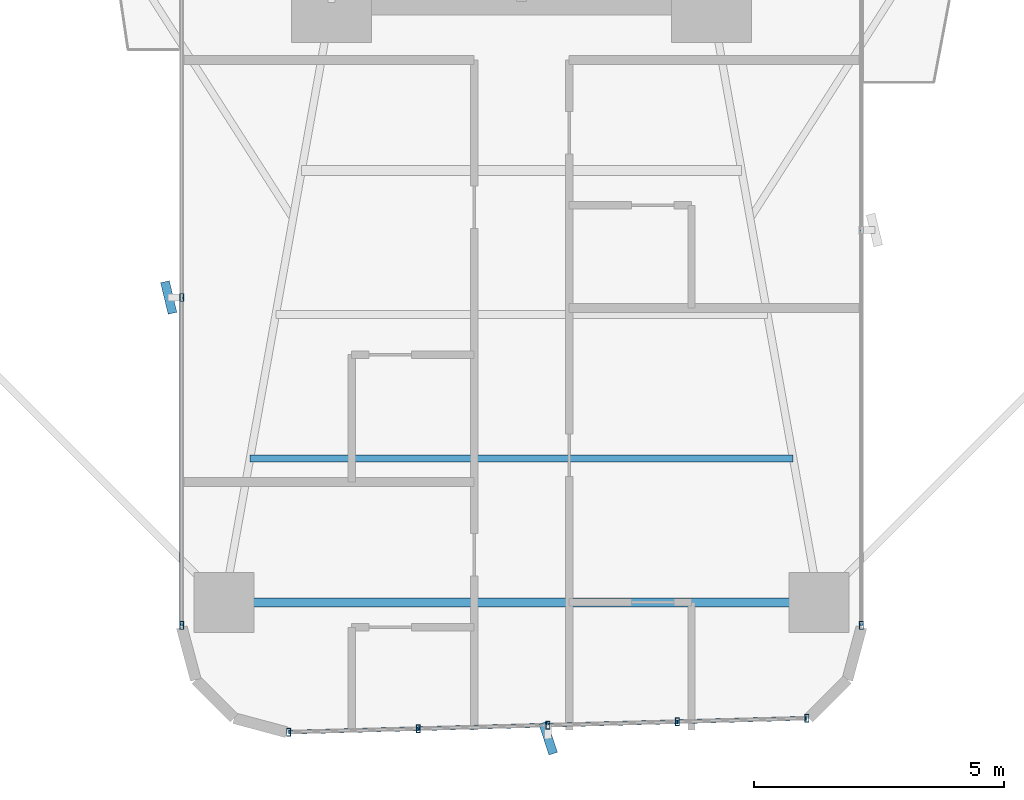
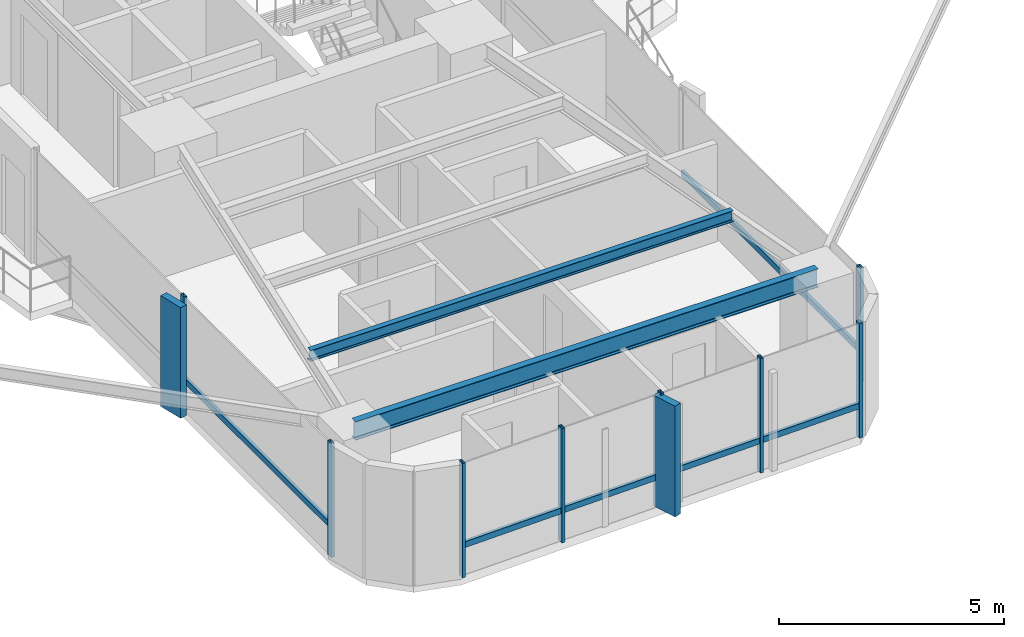
# One storey, part 2 of 25: 16 members, 2 beams, 3 elements without a shape of their own.
"""IFC4 building model written with IfcOpenShell, lengths in metres."""

import ifcopenshell
import ifcopenshell.guid

model = None  # the IFC model being written
_history = None  # IfcOwnerHistory: only IFC2X3 demands one
_inside = {}  # id of a spatial element -> (the spatial element, [elements in it])
_under = {}  # id of a project, library or spatial element -> (it, [spatial elements below it])
_declared = {}  # id of a project -> (the project, [libraries it declares])
_typed = {}  # id of a type object -> (the type object, [elements of that type])
_made_of = {}  # id of a material, layer set ... -> (it, [elements and type objects made of it])


def new_model(schema):
    """Start an empty IFC model of exactly this schema.

    Asked for "IFC4X3", IfcOpenShell would pick the latest addendum, in which some entities
    have other attributes; the version numbers below select the first issue.
    IFC2X3 requires an IfcOwnerHistory on every rooted entity: one is made here for all.
    """
    global model, _history
    if schema == "IFC4X3":
        model = ifcopenshell.file(schema_version=(4, 3, 0, 0))
    else:
        model = ifcopenshell.file(schema=schema)
    _inside.clear()
    _under.clear()
    _declared.clear()
    _typed.clear()
    _made_of.clear()
    _history = None
    if model.schema == "IFC2X3":
        org = make("IfcOrganization", Name="unknown")
        user = make(
            "IfcPersonAndOrganization",
            ThePerson=make("IfcPerson", FamilyName="unknown"),
            TheOrganization=org,
        )
        app = make(
            "IfcApplication",
            ApplicationDeveloper=org,
            Version="unknown",
            ApplicationFullName="unknown",
            ApplicationIdentifier="unknown",
        )
        _history = make(
            "IfcOwnerHistory",
            OwningUser=user,
            OwningApplication=app,
            ChangeAction="ADDED",
            CreationDate=0,
        )
    return model


def make(cls, **values):
    """One entity of the class cls with the attributes given. An attribute that is None is left unset."""
    return model.create_entity(
        cls, **{name: value for name, value in values.items() if value is not None}
    )


def rooted(cls, **values):
    """An entity with a GlobalId (a new one), such as an element, a storey or a relation."""
    return make(cls, GlobalId=ifcopenshell.guid.new(), OwnerHistory=_history, **values)


def si_unit(unit_type, name, prefix=None):
    """IfcSIUnit, for example si_unit("LENGTHUNIT", "METRE", prefix="MILLI")."""
    return make("IfcSIUnit", UnitType=unit_type, Prefix=prefix, Name=name)


def assignment(units):
    """IfcUnitAssignment: the units of a project."""
    return None if units is None else make("IfcUnitAssignment", Units=units)


def point(xyz):
    """IfcCartesianPoint."""
    return None if xyz is None else make("IfcCartesianPoint", Coordinates=xyz)


def direction(xyz):
    """IfcDirection."""
    return None if xyz is None else make("IfcDirection", DirectionRatios=xyz)


def frame(location, z_axis=None, x_axis=None):
    """IfcAxis2Placement3D, a coordinate frame: its origin and axes. An axis left out is left unset."""
    return make(
        "IfcAxis2Placement3D",
        Location=point(location),
        Axis=direction(z_axis),
        RefDirection=direction(x_axis),
    )


def frame_2d(location, x_axis=None):
    """IfcAxis2Placement2D, a coordinate frame in the plane: its origin and x axis."""
    return make(
        "IfcAxis2Placement2D", Location=point(location), RefDirection=direction(x_axis)
    )


def origin():
    """The frame at (0, 0, 0) with its axes left unset."""
    return frame((0.0, 0.0, 0.0))


def origin_2d():
    """The frame at (0, 0) in the plane with its x axis left unset."""
    return frame_2d((0.0, 0.0))


def place(relative_to, where):
    """IfcLocalPlacement: puts the frame where relative to a parent placement (None: the world)."""
    return make(
        "IfcLocalPlacement", PlacementRelTo=relative_to, RelativePlacement=where
    )


def context(
    kind, dimensions, precision=None, world=None, true_north=None, identifier=None
):
    """IfcGeometricRepresentationContext, for example the 3D "Model" context."""
    return make(
        "IfcGeometricRepresentationContext",
        ContextIdentifier=identifier,
        ContextType=kind,
        CoordinateSpaceDimension=dimensions,
        Precision=precision,
        WorldCoordinateSystem=world,
        TrueNorth=true_north,
    )


def subcontext(parent, identifier, kind, view, scale=None):
    """IfcGeometricRepresentationSubContext, for example "Body" below "Model"."""
    return make(
        "IfcGeometricRepresentationSubContext",
        ContextIdentifier=identifier,
        ContextType=kind,
        ParentContext=parent,
        TargetScale=scale,
        TargetView=view,
    )


def project(units=None, contexts=None):
    """IfcProject with its units and contexts."""
    return rooted(
        "IfcProject",
        Name="project",
        RepresentationContexts=contexts,
        UnitsInContext=assignment(units),
    )


def spatial(cls, under=None, at=None, **own):
    """A site, building, storey or space (cls), placed at a placement, below another one or the project."""
    s = rooted(cls, ObjectPlacement=at, **own)
    if under is not None:
        _under.setdefault(under.id(), (under, []))[1].append(s)
    return s


def profile(cls, at=None, kind="AREA", **sizes):
    """A parametric profile (cls). Its sizes go by their IFC names, for example OverallWidth=200.0."""
    return make(cls, ProfileType=kind, Position=at, **sizes)


def rectangle(**sizes):
    """IfcRectangleProfileDef."""
    return profile("IfcRectangleProfileDef", **sizes)


def hollow_rectangle(**sizes):
    """IfcRectangleHollowProfileDef."""
    return profile("IfcRectangleHollowProfileDef", **sizes)


def i_section(**sizes):
    """IfcIShapeProfileDef."""
    return profile("IfcIShapeProfileDef", **sizes)


def extrude(swept, where, along, depth):
    """IfcExtrudedAreaSolid: the profile swept, set in the frame where, extruded along a direction by depth."""
    return make(
        "IfcExtrudedAreaSolid",
        SweptArea=swept,
        Position=where,
        ExtrudedDirection=direction(along),
        Depth=depth,
    )


def shape(context_of_items, identifier, shape_type, items):
    """IfcShapeRepresentation: the items that make up one representation, for example the "Body"."""
    return make(
        "IfcShapeRepresentation",
        ContextOfItems=context_of_items,
        RepresentationIdentifier=identifier,
        RepresentationType=shape_type,
        Items=items,
    )


def source(mapping_origin, context_of_items, identifier, shape_type, items):
    """IfcRepresentationMap: a shape defined once, which mapped items show again and again."""
    return make(
        "IfcRepresentationMap",
        MappingOrigin=mapping_origin,
        MappedRepresentation=shape(context_of_items, identifier, shape_type, items),
    )


def transform(
    local_origin,
    x_axis=None,
    y_axis=None,
    z_axis=None,
    scale=None,
    scale2=None,
    scale3=None,
    uniform=True,
):
    """IfcCartesianTransformationOperator3D, or its non-uniform kind. x_axis, y_axis, z_axis: its Axis1, 2, 3."""
    if uniform:
        return make(
            "IfcCartesianTransformationOperator3D",
            Axis1=direction(x_axis),
            Axis2=direction(y_axis),
            LocalOrigin=point(local_origin),
            Scale=scale,
            Axis3=direction(z_axis),
        )
    return make(
        "IfcCartesianTransformationOperator3DnonUniform",
        Axis1=direction(x_axis),
        Axis2=direction(y_axis),
        LocalOrigin=point(local_origin),
        Scale=scale,
        Axis3=direction(z_axis),
        Scale2=scale2,
        Scale3=scale3,
    )


def mapped(mapping_source, mapping_target):
    """IfcMappedItem: shows the shape of a source again, moved by a transform."""
    return make(
        "IfcMappedItem", MappingSource=mapping_source, MappingTarget=mapping_target
    )


def material(Name=None, Category=None):
    """IfcMaterial."""
    return make("IfcMaterial", Name=Name, Category=Category)


def material_profile(
    of_material, cross_section, Name=None, Category=None, Priority=None
):
    """IfcMaterialProfile: a cross section and its material."""
    return make(
        "IfcMaterialProfile",
        Name=Name,
        Material=of_material,
        Profile=cross_section,
        Priority=Priority,
        Category=Category,
    )


def profile_set(profiles, Name=None, composite=None):
    """IfcMaterialProfileSet."""
    return make(
        "IfcMaterialProfileSet",
        Name=Name,
        MaterialProfiles=profiles,
        CompositeProfile=composite,
    )


def made_of(thing, what):
    """Note that an element or type object is made of a material, layer set ...; save() writes the relation."""
    if what is not None:
        _made_of.setdefault(what.id(), (what, []))[1].append(thing)
    return thing


def type_object(cls, material=None, **own):
    """A type object (cls), such as IfcWallType, which elements share."""
    return made_of(rooted(cls, **own), material)


def element(
    cls,
    number,
    at=None,
    inside=None,
    cuts=None,
    type_object=None,
    material=None,
    context=None,
    identifier="Body",
    shape_type=None,
    held_by="IfcProductDefinitionShape",
    body=None,
    shapes=None,
    **own,
):
    """One element of the class cls, such as IfcWall. Its Tag is "e" and its number.

    at: its placement. inside: the storey or other place that contains it. cuts: it is an
    opening in that element (IfcRelVoidsElement). A single representation is given by context,
    identifier, shape_type and body (its items); several are given by shapes. held_by: the class
    of the entity that holds the representations. save() writes the other relations.
    """
    e = rooted(cls, Tag="e%d" % number, ObjectPlacement=at, **own)
    if body is not None:
        shapes = [shape(context, identifier, shape_type, body)]
    if shapes is not None:
        e.Representation = make(held_by, Representations=shapes)
    if inside is not None:
        _inside.setdefault(inside.id(), (inside, []))[1].append(e)
    if cuts is not None:
        rooted(
            "IfcRelVoidsElement", RelatingBuildingElement=cuts, RelatedOpeningElement=e
        )
    if type_object is not None:
        _typed.setdefault(type_object.id(), (type_object, []))[1].append(e)
    return made_of(e, material)


def aggregate(whole, parts):
    """IfcRelAggregates: a whole, such as a stair, and the parts it consists of."""
    return rooted("IfcRelAggregates", RelatingObject=whole, RelatedObjects=parts)


def save(model, path):
    """Write the relations noted so far, then the file.

    IfcRelAggregates (storeys below a building ...), IfcRelContainedInSpatialStructure (elements
    in a storey), IfcRelDefinesByType, IfcRelAssociatesMaterial and IfcRelDeclares: one each for
    every whole, place, type object, material and project.
    """
    for whole, parts in _under.values():
        aggregate(whole, parts)
    for where, things in _inside.values():
        rooted(
            "IfcRelContainedInSpatialStructure",
            RelatedElements=things,
            RelatingStructure=where,
        )
    for kind, things in _typed.values():
        rooted("IfcRelDefinesByType", RelatedObjects=things, RelatingType=kind)
    for what, things in _made_of.values():
        rooted("IfcRelAssociatesMaterial", RelatedObjects=things, RelatingMaterial=what)
    for by, libraries in _declared.values():
        rooted("IfcRelDeclares", RelatingContext=by, RelatedDefinitions=libraries)
    model.write(path)


model = new_model("IFC4")

# Units and contexts
model_context = context("Model", 3, precision=1e-05, world=origin(), true_north=direction((0.0, 1.0)))
body_context = subcontext(model_context, "Body", "Model", "MODEL_VIEW")
ifc_project = project(units=[si_unit("LENGTHUNIT", "METRE"), si_unit("AREAUNIT", "SQUARE_METRE"), si_unit("VOLUMEUNIT", "CUBIC_METRE"), si_unit("PLANEANGLEUNIT", "RADIAN"), si_unit("MASSUNIT", "GRAM", prefix="KILO")], contexts=[model_context])

# Site, building, storey
site_placement = place(None, origin())
site = spatial("IfcSite", under=ifc_project, at=site_placement, CompositionType="ELEMENT")
building_placement = place(site_placement, origin())
building = spatial("IfcBuilding", under=site, at=building_placement, Name="Sahyath Konkavel Grand Hotel", CompositionType="ELEMENT")
storey_placement = place(building_placement, frame((0.0, 0.0, 36.5)))
storey = spatial("IfcBuildingStorey", under=building, at=storey_placement, Name="L09", CompositionType="ELEMENT", Elevation=36.5)

# Beams
ifc_material_1 = material(Name="Steel E350", Category="steel")
ifc_material_profile_1 = material_profile(ifc_material_1, i_section(OverallWidth=0.179931640625, OverallDepth=0.5, WebThickness=0.01025390625, FlangeThickness=0.01708984375, FilletRadius=0.01708984375, at=origin_2d()), Name="ISMB 500")
ifc_profile_set_1 = profile_set([ifc_material_profile_1], Name="Steel E350")
beam_type_1 = type_object("IfcBeamType", Name="BM-ISMB500", PredefinedType="BEAM", material=ifc_profile_set_1)
shared_shape_1 = source(origin(), body_context, "Body", "SweptSolid", [
    extrude(i_section(OverallWidth=0.179931640625, OverallDepth=0.5, WebThickness=0.01025390625, FlangeThickness=0.01708984375, FilletRadius=0.01708984375, at=origin_2d()), origin(), (0.0, 0.0, 1.0), 11.89990234375),
])
beam_1_placement = place(storey_placement, frame((-5.949951171875, -22.199951171875, 2.860107421875), z_axis=(1.0, 0.0, 0.0), x_axis=(0.0, 1.0, 0.0)))
element("IfcBeam", 1, at=beam_1_placement, inside=storey, type_object=beam_type_1, Name="L09 Wing Tip Edge Beam S", PredefinedType="BEAM", context=body_context, shape_type="MappedRepresentation", body=[
    mapped(shared_shape_1, transform((0.0, 0.0, 0.0), scale=1.0)),
])
ifc_material_profile_2 = material_profile(ifc_material_1, i_section(OverallWidth=0.139892578125, OverallDepth=0.300048828125, WebThickness=0.0078125, FlangeThickness=0.01318359375, FilletRadius=0.013916015625, at=origin_2d()), Name="ISMB 300")
ifc_profile_set_2 = profile_set([ifc_material_profile_2], Name="Steel E350")
beam_type_2 = type_object("IfcBeamType", Name="BM-ISMB300", PredefinedType="BEAM", material=ifc_profile_set_2)
shared_shape_2 = source(origin(), body_context, "Body", "SweptSolid", [
    extrude(i_section(OverallWidth=0.139892578125, OverallDepth=0.300048828125, WebThickness=0.0078125, FlangeThickness=0.01318359375, FilletRadius=0.013916015625, at=origin_2d()), origin(), (0.0, 0.0, 1.0), 10.8681640625),
])
beam_2_placement = place(storey_placement, frame((-5.43408203125, -19.320068359375, 2.9599609375), z_axis=(1.0, 0.0, 0.0), x_axis=(0.0, 1.0, 0.0)))
element("IfcBeam", 2, at=beam_2_placement, inside=storey, type_object=beam_type_2, Name="L09 Secondary Floor Beam S-3", PredefinedType="BEAM", context=body_context, shape_type="MappedRepresentation", body=[
    mapped(shared_shape_2, transform((0.0, 0.0, 0.0), scale=1.0)),
])

# Curtain wall, member
ifc_material_2 = material(Name="Anodised Bronze Aluminium & Low-E Glazing", Category="aluminium")
curtain_wall_type = type_object("IfcCurtainWallType", Name="CW-ZONE1", PredefinedType="NOTDEFINED", material=ifc_material_2)
curtain_wall_1_placement = place(storey_placement, origin())
curtain_wall_1 = element("IfcCurtainWall", 3, at=curtain_wall_1_placement, inside=storey, type_object=curtain_wall_type, Name="L09 Unitised Curtain Wall F24", PredefinedType="NOTDEFINED")
ifc_material_3 = material(Name="Warm Buff Sandstone Cladding on Concrete C50/60", Category="masonry")
ifc_material_profile_3 = material_profile(ifc_material_3, rectangle(XDim=0.179931640625, YDim=0.64990234375, at=origin_2d()), Name="FIN 180x650")
ifc_profile_set_3 = profile_set([ifc_material_profile_3], Name="Warm Buff Sandstone Cladding on Concrete C50/60")
member_type_1 = type_object("IfcMemberType", Name="FIN-SANDSTONE-650", PredefinedType="MULLION", material=ifc_profile_set_3)
shared_shape_3 = source(origin(), body_context, "Body", "SweptSolid", [
    extrude(rectangle(XDim=0.179931640625, YDim=0.64990234375, at=origin_2d()), origin(), (0.0, 0.0, 1.0), 3.010009765625),
])
member_1_placement = place(storey_placement, frame((-7.06005859375, -16.10009765625, 0.050048828125), z_axis=(0.0, 0.0, 1.0), x_axis=(0.972369920398, 0.233445363856, 0.0)))
member_1 = element("IfcMember", 4, at=member_1_placement, type_object=member_type_1, Name="L09 Sandstone Vertical Solar Fin FIN F24-1", PredefinedType="MULLION", context=body_context, shape_type="MappedRepresentation", body=[
    mapped(shared_shape_3, transform((0.0, 0.0, 0.0), scale=1.0)),
])

curtain_wall_2_placement = place(storey_placement, origin())
curtain_wall_2 = element("IfcCurtainWall", 5, at=curtain_wall_2_placement, inside=storey, type_object=curtain_wall_type, Name="L09 Unitised Curtain Wall F28", PredefinedType="NOTDEFINED")
member_2_placement = place(storey_placement, frame((0.531982421875, -24.919189453125, 0.050048828125), z_axis=(0.0, 0.0, 1.0), x_axis=(0.951272019071, 0.30835295642, 0.0)))
member_2 = element("IfcMember", 6, at=member_2_placement, type_object=member_type_1, Name="L09 Sandstone Vertical Solar Fin FIN F28-2", PredefinedType="MULLION", context=body_context, shape_type="MappedRepresentation", body=[
    mapped(shared_shape_3, transform((0.0, 0.0, 0.0), scale=1.0)),
])

curtain_wall_3_placement = place(storey_placement, origin())
curtain_wall_3 = element("IfcCurtainWall", 7, at=curtain_wall_3_placement, inside=storey, type_object=curtain_wall_type, Name="L09 Unitised Curtain Wall F31", PredefinedType="NOTDEFINED")
ifc_material_4 = material(Name="Anodised Bronze Aluminium", Category="aluminium")
ifc_material_profile_4 = material_profile(ifc_material_4, hollow_rectangle(XDim=0.080078125, YDim=0.159912109375, WallThickness=0.006103515625, at=origin_2d()), Name="RHS 160x80x6")
ifc_profile_set_4 = profile_set([ifc_material_profile_4], Name="Anodised Bronze Aluminium")
member_type_2 = type_object("IfcMemberType", Name="CW-TRN-160", PredefinedType="USERDEFINED", material=ifc_profile_set_4)
shared_shape_4 = source(origin(), body_context, "Body", "SweptSolid", [
    extrude(hollow_rectangle(XDim=0.080078125, YDim=0.159912109375, WallThickness=0.006103515625, at=origin_2d()), origin(), (0.0, 0.0, 1.0), 7.909912109375),
])
member_3_placement = place(storey_placement, frame((6.800048828125, -22.659912109375, 0.85009765625), z_axis=(0.0, 1.0, 0.0), x_axis=(-1.0, 0.0, 0.0)))
member_3 = element("IfcMember", 8, at=member_3_placement, type_object=member_type_2, Name="L09 Curtain Wall Transom F31-0-spandrel", ObjectType="TRANSOM", PredefinedType="USERDEFINED", context=body_context, shape_type="MappedRepresentation", body=[
    mapped(shared_shape_4, transform((0.0, 0.0, 0.0), scale=1.0)),
])

# Member
shared_shape_5 = source(origin(), body_context, "Body", "SweptSolid", [
    extrude(hollow_rectangle(XDim=0.080078125, YDim=0.159912109375, WallThickness=0.006103515625, at=origin_2d()), origin(), (0.0, 0.0, 1.0), 2.593505859375),
])
member_4_placement = place(storey_placement, frame((-4.659912109375, -24.798828125, 0.85009765625), z_axis=(0.999637507825, 0.026923093252, 0.0), x_axis=(-0.026923093252, 0.999637507825, 0.0)))
member_4 = element("IfcMember", 9, at=member_4_placement, type_object=member_type_2, Name="L09 Curtain Wall Transom F28-0-spandrel", ObjectType="TRANSOM", PredefinedType="USERDEFINED", context=body_context, shape_type="MappedRepresentation", body=[
    mapped(shared_shape_5, transform((0.0, 0.0, 0.0), scale=1.0)),
])

member_5_placement = place(storey_placement, frame((0.52490234375, -24.6591796875, 0.85009765625), z_axis=(0.999640036937, 0.02682902444, 0.0), x_axis=(-0.02682902444, 0.999640036937, 0.0)))
member_5 = element("IfcMember", 10, at=member_5_placement, type_object=member_type_2, Name="L09 Curtain Wall Transom F28-2-spandrel", ObjectType="TRANSOM", PredefinedType="USERDEFINED", context=body_context, shape_type="MappedRepresentation", body=[
    mapped(shared_shape_5, transform((0.0, 0.0, 0.0), scale=1.0)),
])

member_6_placement = place(storey_placement, frame((3.117431640625, -24.589599609375, 0.85009765625), z_axis=(0.999637507825, 0.026923093252, 0.0), x_axis=(-0.026923093252, 0.999637507825, 0.0)))
member_6 = element("IfcMember", 11, at=member_6_placement, type_object=member_type_2, Name="L09 Curtain Wall Transom F28-3-spandrel", ObjectType="TRANSOM", PredefinedType="USERDEFINED", context=body_context, shape_type="MappedRepresentation", body=[
    mapped(shared_shape_5, transform((0.0, 0.0, 0.0), scale=1.0)),
])

shared_shape_6 = source(origin(), body_context, "Body", "SweptSolid", [
    extrude(hollow_rectangle(XDim=0.080078125, YDim=0.159912109375, WallThickness=0.006103515625, at=origin_2d()), origin(), (0.0, 0.0, 1.0), 2.59326171875),
])
member_7_placement = place(storey_placement, frame((-2.0673828125, -24.72900390625, 0.85009765625), z_axis=(0.99963743958, 0.026925627022, 0.0), x_axis=(-0.026925627022, 0.99963743958, 0.0)))
member_7 = element("IfcMember", 12, at=member_7_placement, type_object=member_type_2, Name="L09 Curtain Wall Transom F28-1-spandrel", ObjectType="TRANSOM", PredefinedType="USERDEFINED", context=body_context, shape_type="MappedRepresentation", body=[
    mapped(shared_shape_6, transform((0.0, 0.0, 0.0), scale=1.0)),
])

ifc_material_profile_5 = material_profile(ifc_material_4, hollow_rectangle(XDim=0.080078125, YDim=0.159912109375, WallThickness=0.006103515625, at=origin_2d()), Name="RHS 160x80x6")
ifc_profile_set_5 = profile_set([ifc_material_profile_5], Name="Anodised Bronze Aluminium")
member_type_3 = type_object("IfcMemberType", Name="CW-MUL-160", PredefinedType="MULLION", material=ifc_profile_set_5)
shared_shape_7 = source(origin(), body_context, "Body", "SweptSolid", [
    extrude(hollow_rectangle(XDim=0.080078125, YDim=0.159912109375, WallThickness=0.006103515625, at=origin_2d()), origin(), (0.0, 0.0, 1.0), 3.110107421875),
])
member_8_placement = place(storey_placement, frame((-6.800048828125, -16.10009765625, 0.0), z_axis=(0.0, 0.0, 1.0), x_axis=(1.0, 0.0, 0.0)))
member_8 = element("IfcMember", 13, at=member_8_placement, type_object=member_type_3, Name="L09 Curtain Wall Mullion F24-1", PredefinedType="MULLION", context=body_context, shape_type="MappedRepresentation", body=[
    mapped(shared_shape_7, transform((0.0, 0.0, 0.0), scale=1.0)),
])

member_9_placement = place(storey_placement, frame((-6.800048828125, -22.659912109375, 0.0), z_axis=(0.0, 0.0, 1.0), x_axis=(1.0, 0.0, 0.0)))
member_9 = element("IfcMember", 14, at=member_9_placement, type_object=member_type_3, Name="L09 Curtain Wall Mullion F24-2", PredefinedType="MULLION", context=body_context, shape_type="MappedRepresentation", body=[
    mapped(shared_shape_7, transform((0.0, 0.0, 0.0), scale=1.0)),
])

member_10_placement = place(storey_placement, frame((-4.659912109375, -24.798828125, 0.0), z_axis=(0.0, 0.0, 1.0), x_axis=(1.0, 0.0, 0.0)))
member_10 = element("IfcMember", 15, at=member_10_placement, type_object=member_type_3, Name="L09 Curtain Wall Mullion F28-0", PredefinedType="MULLION", context=body_context, shape_type="MappedRepresentation", body=[
    mapped(shared_shape_7, transform((0.0, 0.0, 0.0), scale=1.0)),
])

member_11_placement = place(storey_placement, frame((-2.0673828125, -24.72900390625, 0.0), z_axis=(0.0, 0.0, 1.0), x_axis=(1.0, 0.0, 0.0)))
member_11 = element("IfcMember", 16, at=member_11_placement, type_object=member_type_3, Name="L09 Curtain Wall Mullion F28-1", PredefinedType="MULLION", context=body_context, shape_type="MappedRepresentation", body=[
    mapped(shared_shape_7, transform((0.0, 0.0, 0.0), scale=1.0)),
])

member_12_placement = place(storey_placement, frame((0.52490234375, -24.6591796875, 0.0), z_axis=(0.0, 0.0, 1.0), x_axis=(1.0, 0.0, 0.0)))
member_12 = element("IfcMember", 17, at=member_12_placement, type_object=member_type_3, Name="L09 Curtain Wall Mullion F28-2", PredefinedType="MULLION", context=body_context, shape_type="MappedRepresentation", body=[
    mapped(shared_shape_7, transform((0.0, 0.0, 0.0), scale=1.0)),
])

member_13_placement = place(storey_placement, frame((3.117431640625, -24.589599609375, 0.0), z_axis=(0.0, 0.0, 1.0), x_axis=(1.0, 0.0, 0.0)))
member_13 = element("IfcMember", 18, at=member_13_placement, type_object=member_type_3, Name="L09 Curtain Wall Mullion F28-3", PredefinedType="MULLION", context=body_context, shape_type="MappedRepresentation", body=[
    mapped(shared_shape_7, transform((0.0, 0.0, 0.0), scale=1.0)),
])

member_14_placement = place(storey_placement, frame((5.7099609375, -24.519775390625, 0.0), z_axis=(0.0, 0.0, 1.0), x_axis=(1.0, 0.0, 0.0)))
member_14 = element("IfcMember", 19, at=member_14_placement, type_object=member_type_3, Name="L09 Curtain Wall Mullion F28-4", PredefinedType="MULLION", context=body_context, shape_type="MappedRepresentation", body=[
    mapped(shared_shape_7, transform((0.0, 0.0, 0.0), scale=1.0)),
])

aggregate(curtain_wall_2, [member_10, member_11, member_12, member_2, member_13, member_14, member_4, member_7, member_5, member_6])

member_15_placement = place(storey_placement, frame((6.800048828125, -22.659912109375, 0.0), z_axis=(0.0, 0.0, 1.0), x_axis=(1.0, 0.0, 0.0)))
member_15 = element("IfcMember", 20, at=member_15_placement, type_object=member_type_3, Name="L09 Curtain Wall Mullion F31-0", PredefinedType="MULLION", context=body_context, shape_type="MappedRepresentation", body=[
    mapped(shared_shape_7, transform((0.0, 0.0, 0.0), scale=1.0)),
])

aggregate(curtain_wall_3, [member_15, member_3])

shared_shape_8 = source(origin(), body_context, "Body", "SweptSolid", [
    extrude(hollow_rectangle(XDim=0.080078125, YDim=0.159912109375, WallThickness=0.006103515625, at=origin_2d()), origin(), (0.0, 0.0, 1.0), 6.559814453125),
])
member_16_placement = place(storey_placement, frame((-6.800048828125, -16.10009765625, 0.85009765625), z_axis=(0.0, -1.0, 0.0), x_axis=(1.0, 0.0, 0.0)))
member_16 = element("IfcMember", 21, at=member_16_placement, type_object=member_type_2, Name="L09 Curtain Wall Transom F24-1-spandrel", ObjectType="TRANSOM", PredefinedType="USERDEFINED", context=body_context, shape_type="MappedRepresentation", body=[
    mapped(shared_shape_8, transform((0.0, 0.0, 0.0), scale=1.0)),
])

aggregate(curtain_wall_1, [member_8, member_1, member_9, member_16])

save(model, "model.ifc")
